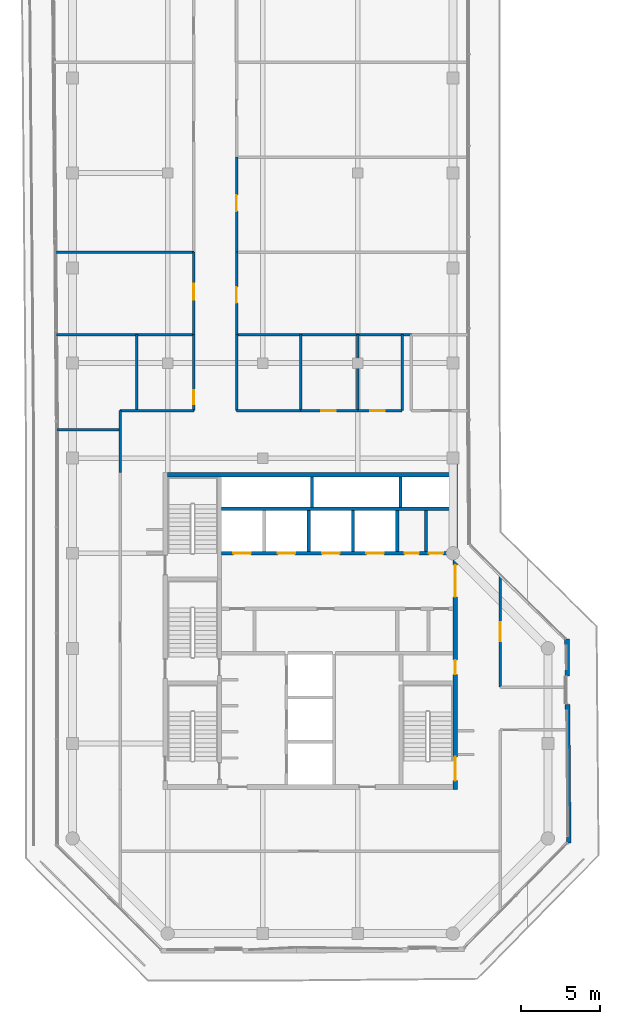
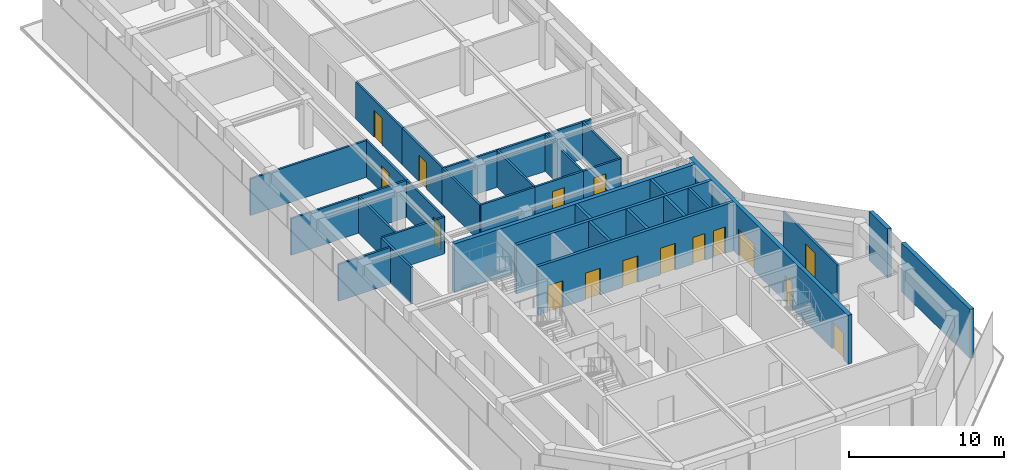
# One storey, part 15 of 18: 31 walls, 16 doors, 16 openings.
"""IFC4 building model written with IfcOpenShell, lengths in metres."""

from ifc_helpers import new_model, si_unit, direction, frame, frame_2d, origin, place, context, subcontext, project, spatial, rectangle, extrude, material, layer, layer_set, type_object, element, fill, save


model = new_model("IFC4")

# Units and contexts
model_context = context("Model", 3, precision=1e-05, world=origin(), true_north=direction((0.0, 1.0)))
body_context = subcontext(model_context, "Body", "Model", "MODEL_VIEW")
ifc_project = project(units=[si_unit("LENGTHUNIT", "METRE"), si_unit("AREAUNIT", "SQUARE_METRE"), si_unit("VOLUMEUNIT", "CUBIC_METRE"), si_unit("PLANEANGLEUNIT", "RADIAN"), si_unit("MASSUNIT", "GRAM", prefix="KILO")], contexts=[model_context])

# Site, building, storey
site_placement = place(None, origin())
site = spatial("IfcSite", under=ifc_project, at=site_placement, CompositionType="ELEMENT")
building_placement = place(site_placement, origin())
building = spatial("IfcBuilding", under=site, at=building_placement, Name="Welwitschia Terrace Campus", CompositionType="ELEMENT")
storey_placement = place(building_placement, frame((0.0, 0.0, 289.39990234375)))
storey = spatial("IfcBuildingStorey", under=building, at=storey_placement, Name="L64", CompositionType="ELEMENT", Elevation=289.39990234375)

# Wall
ifc_material_1 = material(Name="Concrete C32/40", Category="concrete")
ifc_layer_1 = layer(ifc_material_1, 0.175048828125)
ifc_layer_set_1 = layer_set([ifc_layer_1], Name="Concrete C32/40")
wall_type_1 = type_object("IfcWallType", Name="Core partition 175 Concrete C32/40", PredefinedType="PARTITIONING", material=ifc_layer_set_1)
wall_1_placement = place(storey_placement, frame((22.300048828125, 20.10009765625, 0.0), z_axis=(0.0, 0.0, 1.0), x_axis=(0.0, 1.0, 0.0)))
element("IfcWall", 1, at=wall_1_placement, inside=storey, type_object=wall_type_1, Name="Core partition", PredefinedType="PARTITIONING", context=body_context, shape_type="SweptSolid", body=[
    extrude(rectangle(XDim=2.599853515625, YDim=0.175048828125, at=frame_2d((1.2998046875, 0.0))), origin(), (0.0, 0.0, 1.0), 3.85009765625),
])

# Wall, openings, doors
ifc_material_2 = material(Name="Concrete C32/40", Category="concrete")
ifc_layer_2 = layer(ifc_material_2, 0.22509765625)
ifc_layer_set_2 = layer_set([ifc_layer_2], Name="Concrete C32/40")
wall_type_2 = type_object("IfcWallType", Name="Core partition 225 Concrete C32/40", PredefinedType="PARTITIONING", material=ifc_layer_set_2)
wall_2_placement = place(storey_placement, frame((24.0, 20.0, 0.0), z_axis=(0.0, 0.0, 1.0), x_axis=(-1.0, 0.0, 0.0)))
wall_2 = element("IfcWall", 2, at=wall_2_placement, inside=storey, type_object=wall_type_2, Name="Shaft wall", PredefinedType="PARTITIONING", context=body_context, shape_type="SweptSolid", body=[
    extrude(rectangle(XDim=14.60009765625, YDim=0.22509765625, at=frame_2d((7.300048828125, 0.0))), origin(), (0.0, 0.0, 1.0), 3.85009765625),
])
opening_1_placement = place(wall_2_placement, frame((12.75, 0.0, 0.0)))
opening_1 = element("IfcOpeningElement", 3, at=opening_1_placement, cuts=wall_2, Name="Opening LD", PredefinedType="OPENING", context=body_context, shape_type="SweptSolid", body=[
    extrude(rectangle(XDim=1.10009765625, YDim=2.10009765625, at=frame_2d((0.550048828125, 1.050048828125))), frame((0.0, 0.12255859375, 0.0), z_axis=(0.0, -1.0, 0.0), x_axis=(1.0, 0.0, 0.0)), (0.0, 0.0, 1.0), 0.2451171875),
])
opening_2_placement = place(wall_2_placement, frame((9.949951171875, 0.0, 0.0)))
opening_2 = element("IfcOpeningElement", 4, at=opening_2_placement, cuts=wall_2, Name="Opening LD", PredefinedType="OPENING", context=body_context, shape_type="SweptSolid", body=[
    extrude(rectangle(XDim=1.10009765625, YDim=2.10009765625, at=frame_2d((0.550048828125, 1.050048828125))), frame((0.0, 0.12255859375, 0.0), z_axis=(0.0, -1.0, 0.0), x_axis=(1.0, 0.0, 0.0)), (0.0, 0.0, 1.0), 0.2451171875),
])
opening_3_placement = place(wall_2_placement, frame((7.14990234375, 0.0, 0.0)))
opening_3 = element("IfcOpeningElement", 5, at=opening_3_placement, cuts=wall_2, Name="Opening LD", PredefinedType="OPENING", context=body_context, shape_type="SweptSolid", body=[
    extrude(rectangle(XDim=1.10009765625, YDim=2.10009765625, at=frame_2d((0.550048828125, 1.050048828125))), frame((0.0, 0.12255859375, 0.0), z_axis=(0.0, -1.0, 0.0), x_axis=(1.0, 0.0, 0.0)), (0.0, 0.0, 1.0), 0.2451171875),
])
opening_4_placement = place(wall_2_placement, frame((4.35009765625, 0.0, 0.0)))
opening_4 = element("IfcOpeningElement", 6, at=opening_4_placement, cuts=wall_2, Name="Opening LD", PredefinedType="OPENING", context=body_context, shape_type="SweptSolid", body=[
    extrude(rectangle(XDim=1.10009765625, YDim=2.10009765625, at=frame_2d((0.550048828125, 1.050048828125))), frame((0.0, 0.12255859375, 0.0), z_axis=(0.0, -1.0, 0.0), x_axis=(1.0, 0.0, 0.0)), (0.0, 0.0, 1.0), 0.2451171875),
])
opening_5_placement = place(wall_2_placement, frame((2.137451171875, 0.0, 0.0)))
opening_5 = element("IfcOpeningElement", 7, at=opening_5_placement, cuts=wall_2, Name="Opening DR09", PredefinedType="OPENING", context=body_context, shape_type="SweptSolid", body=[
    extrude(rectangle(XDim=0.89990234375, YDim=2.10009765625, at=frame_2d((0.449951171875, 1.050048828125))), frame((0.0, 0.12255859375, 0.0), z_axis=(0.0, -1.0, 0.0), x_axis=(1.0, 0.0, 0.0)), (0.0, 0.0, 1.0), 0.2451171875),
])
opening_6_placement = place(wall_2_placement, frame((0.612060546875, 0.0, 0.0)))
opening_6 = element("IfcOpeningElement", 8, at=opening_6_placement, cuts=wall_2, Name="Opening DR09", PredefinedType="OPENING", context=body_context, shape_type="SweptSolid", body=[
    extrude(rectangle(XDim=0.89990234375, YDim=2.10009765625, at=frame_2d((0.449951171875, 1.050048828125))), frame((0.0, 0.12255859375, 0.0), z_axis=(0.0, -1.0, 0.0), x_axis=(1.0, 0.0, 0.0)), (0.0, 0.0, 1.0), 0.2451171875),
])
ifc_material_3 = material(Name="Steel S275", Category="steel")
door_type_1 = type_object("IfcDoorType", Name="Core door DR09", OperationType="SINGLE_SWING_LEFT", PredefinedType="DOOR", material=ifc_material_3)
door_1_placement = place(opening_5_placement, origin())
door_1 = element("IfcDoor", 9, at=door_1_placement, inside=storey, type_object=door_type_1, Name="Door EH1-D", OperationType="SINGLE_SWING_LEFT", OverallHeight=2.10009765625, OverallWidth=0.89990234375, PredefinedType="DOOR", context=body_context, shape_type="SweptSolid", body=[
    extrude(rectangle(XDim=0.89990234375, YDim=2.10009765625, at=frame_2d((0.449951171875, 1.050048828125))), frame((0.0, 0.02490234375, 0.0), z_axis=(0.0, -1.0, 0.0), x_axis=(1.0, 0.0, 0.0)), (0.0, 0.0, 1.0), 0.050048828125),
])
fill(opening_5, door_1)
door_2_placement = place(opening_6_placement, origin())
door_2 = element("IfcDoor", 10, at=door_2_placement, inside=storey, type_object=door_type_1, Name="Door EH2-D", OperationType="SINGLE_SWING_LEFT", OverallHeight=2.10009765625, OverallWidth=0.89990234375, PredefinedType="DOOR", context=body_context, shape_type="SweptSolid", body=[
    extrude(rectangle(XDim=0.89990234375, YDim=2.10009765625, at=frame_2d((0.449951171875, 1.050048828125))), frame((0.0, 0.02490234375, 0.0), z_axis=(0.0, -1.0, 0.0), x_axis=(1.0, 0.0, 0.0)), (0.0, 0.0, 1.0), 0.050048828125),
])
fill(opening_6, door_2)
ifc_material_4 = material(Name="Stainless steel 304", Category="steel")
door_type_2 = type_object("IfcDoorType", Name="Lift landing door", OperationType="DOUBLE_DOOR_SLIDING", PredefinedType="DOOR", material=ifc_material_4)
door_3_placement = place(opening_1_placement, origin())
door_3 = element("IfcDoor", 11, at=door_3_placement, inside=storey, type_object=door_type_2, Name="Landing door HR1", OperationType="DOUBLE_DOOR_SLIDING", OverallHeight=2.10009765625, OverallWidth=1.10009765625, PredefinedType="DOOR", context=body_context, shape_type="SweptSolid", body=[
    extrude(rectangle(XDim=1.10009765625, YDim=2.10009765625, at=frame_2d((0.550048828125, 1.050048828125))), frame((0.0, 0.02490234375, 0.0), z_axis=(0.0, -1.0, 0.0), x_axis=(1.0, 0.0, 0.0)), (0.0, 0.0, 1.0), 0.050048828125),
])
fill(opening_1, door_3)
door_4_placement = place(opening_2_placement, origin())
door_4 = element("IfcDoor", 12, at=door_4_placement, inside=storey, type_object=door_type_2, Name="Landing door HR2", OperationType="DOUBLE_DOOR_SLIDING", OverallHeight=2.10009765625, OverallWidth=1.10009765625, PredefinedType="DOOR", context=body_context, shape_type="SweptSolid", body=[
    extrude(rectangle(XDim=1.10009765625, YDim=2.10009765625, at=frame_2d((0.550048828125, 1.050048828125))), frame((0.0, 0.02490234375, 0.0), z_axis=(0.0, -1.0, 0.0), x_axis=(1.0, 0.0, 0.0)), (0.0, 0.0, 1.0), 0.050048828125),
])
fill(opening_2, door_4)
door_5_placement = place(opening_3_placement, origin())
door_5 = element("IfcDoor", 13, at=door_5_placement, inside=storey, type_object=door_type_2, Name="Landing door HR3", OperationType="DOUBLE_DOOR_SLIDING", OverallHeight=2.10009765625, OverallWidth=1.10009765625, PredefinedType="DOOR", context=body_context, shape_type="SweptSolid", body=[
    extrude(rectangle(XDim=1.10009765625, YDim=2.10009765625, at=frame_2d((0.550048828125, 1.050048828125))), frame((0.0, 0.02490234375, 0.0), z_axis=(0.0, -1.0, 0.0), x_axis=(1.0, 0.0, 0.0)), (0.0, 0.0, 1.0), 0.050048828125),
])
fill(opening_3, door_5)
door_6_placement = place(opening_4_placement, origin())
door_6 = element("IfcDoor", 14, at=door_6_placement, inside=storey, type_object=door_type_2, Name="Landing door HR4", OperationType="DOUBLE_DOOR_SLIDING", OverallHeight=2.10009765625, OverallWidth=1.10009765625, PredefinedType="DOOR", context=body_context, shape_type="SweptSolid", body=[
    extrude(rectangle(XDim=1.10009765625, YDim=2.10009765625, at=frame_2d((0.550048828125, 1.050048828125))), frame((0.0, 0.02490234375, 0.0), z_axis=(0.0, -1.0, 0.0), x_axis=(1.0, 0.0, 0.0)), (0.0, 0.0, 1.0), 0.050048828125),
])
fill(opening_4, door_6)

# Walls
wall_3_placement = place(storey_placement, frame((9.39990234375, 22.800048828125, 0.0), z_axis=(0.0, 0.0, 1.0), x_axis=(1.0, 0.0, 0.0)))
element("IfcWall", 15, at=wall_3_placement, inside=storey, type_object=wall_type_2, Name="Shaft wall", PredefinedType="PARTITIONING", context=body_context, shape_type="SweptSolid", body=[
    extrude(rectangle(XDim=14.60009765625, YDim=0.22509765625, at=frame_2d((7.300048828125, 0.0))), origin(), (0.0, 0.0, 1.0), 3.85009765625),
])
wall_4_placement = place(storey_placement, frame((20.5, 20.10009765625, 0.0), z_axis=(0.0, 0.0, 1.0), x_axis=(0.0, 1.0, 0.0)))
element("IfcWall", 16, at=wall_4_placement, inside=storey, type_object=wall_type_2, Name="Shaft wall", PredefinedType="PARTITIONING", context=body_context, shape_type="SweptSolid", body=[
    extrude(rectangle(XDim=2.599853515625, YDim=0.22509765625, at=frame_2d((1.2998046875, 0.0))), origin(), (0.0, 0.0, 1.0), 3.85009765625),
])
ifc_material_5 = material(Name="Concrete C50/60", Category="concrete")
ifc_layer_3 = layer(ifc_material_5, 0.199951171875)
ifc_layer_set_3 = layer_set([ifc_layer_3], Name="Concrete C50/60")
wall_type_3 = type_object("IfcWallType", Name="Core wall 200 Concrete C50/60", PredefinedType="SHEAR", material=ifc_layer_set_3)
for number, where, z_axis, x_axis, name in (
    (17, (15.10009765625, 22.89990234375, 0.0), (0.0, 0.0, 1.0), (0.0, 1.0, 0.0), "Core wall"),
    (18, (20.699951171875, 22.89990234375, 0.0), (0.0, 0.0, 1.0), (0.0, 1.0, 0.0), "Core wall"),
):
    element("IfcWall", number, at=place(storey_placement, frame(where, z_axis=z_axis, x_axis=x_axis)), inside=storey, type_object=wall_type_3, Name=name, PredefinedType="SHEAR", context=body_context, shape_type="SweptSolid", body=[
        extrude(rectangle(XDim=1.900146484375, YDim=0.199951171875, at=frame_2d((0.9501953125, 0.0))), origin(), (0.0, 0.0, 1.0), 3.85009765625),
    ])

# Wall, openings, doors
ifc_material_6 = material(Name="Concrete C50/60", Category="concrete")
ifc_layer_4 = layer(ifc_material_6, 0.300048828125)
ifc_layer_set_4 = layer_set([ifc_layer_4], Name="Concrete C50/60")
wall_type_4 = type_object("IfcWallType", Name="Core wall 300 Concrete C50/60", PredefinedType="SHEAR", material=ifc_layer_set_4)
wall_5_placement = place(storey_placement, frame((24.14990234375, 25.655029296875, 0.0), z_axis=(0.0, 0.0, 1.0), x_axis=(0.0, -1.0, 0.0)))
wall_5 = element("IfcWall", 19, at=wall_5_placement, inside=storey, type_object=wall_type_4, Name="Core outer wall", PredefinedType="SHEAR", context=body_context, shape_type="SweptSolid", body=[
    extrude(rectangle(XDim=20.554931640625, YDim=0.300048828125, at=frame_2d((10.27734375, 0.0))), origin(), (0.0, 0.0, 1.0), 3.85009765625),
])
opening_7_placement = place(wall_5_placement, frame((18.5048828125, 0.0, 0.0)))
opening_7 = element("IfcOpeningElement", 20, at=opening_7_placement, cuts=wall_5, Name="Opening DS15", PredefinedType="OPENING", context=body_context, shape_type="SweptSolid", body=[
    extrude(rectangle(XDim=1.5, YDim=2.10009765625, at=frame_2d((0.75, 1.050048828125))), frame((0.0, 0.159912109375, 0.0), z_axis=(0.0, -1.0, 0.0), x_axis=(1.0, 0.0, 0.0)), (0.0, 0.0, 1.0), 0.320068359375),
])
opening_8_placement = place(wall_5_placement, frame((12.405029296875, 0.0, 0.0)))
opening_8 = element("IfcOpeningElement", 21, at=opening_8_placement, cuts=wall_5, Name="Opening DR09", PredefinedType="OPENING", context=body_context, shape_type="SweptSolid", body=[
    extrude(rectangle(XDim=0.89990234375, YDim=2.10009765625, at=frame_2d((0.449951171875, 1.050048828125))), frame((0.0, 0.159912109375, 0.0), z_axis=(0.0, -1.0, 0.0), x_axis=(1.0, 0.0, 0.0)), (0.0, 0.0, 1.0), 0.320068359375),
])
opening_9_placement = place(wall_5_placement, frame((6.405029296875, 0.0, 0.0)))
opening_9 = element("IfcOpeningElement", 22, at=opening_9_placement, cuts=wall_5, Name="Opening DL20", PredefinedType="OPENING", context=body_context, shape_type="SweptSolid", body=[
    extrude(rectangle(XDim=2.0, YDim=2.10009765625, at=frame_2d((1.0, 1.050048828125))), frame((0.0, 0.159912109375, 0.0), z_axis=(0.0, -1.0, 0.0), x_axis=(1.0, 0.0, 0.0)), (0.0, 0.0, 1.0), 0.320068359375),
])
ifc_material_7 = material(Name="Steel S275", Category="steel")
door_type_3 = type_object("IfcDoorType", Name="Core door DL20", OperationType="DOUBLE_DOOR_SINGLE_SWING", PredefinedType="DOOR", material=ifc_material_7)
door_7_placement = place(opening_9_placement, origin())
door_7 = element("IfcDoor", 23, at=door_7_placement, inside=storey, type_object=door_type_3, Name="Door LOBBY-out", OperationType="DOUBLE_DOOR_SINGLE_SWING", OverallHeight=2.10009765625, OverallWidth=2.0, PredefinedType="DOOR", context=body_context, shape_type="SweptSolid", body=[
    extrude(rectangle(XDim=2.0, YDim=2.10009765625, at=frame_2d((1.0, 1.050048828125))), frame((0.0, 0.02490234375, 0.0), z_axis=(0.0, -1.0, 0.0), x_axis=(1.0, 0.0, 0.0)), (0.0, 0.0, 1.0), 0.050048828125),
])
fill(opening_9, door_7)
door_8_placement = place(opening_8_placement, origin())
door_8 = element("IfcDoor", 24, at=door_8_placement, inside=storey, type_object=door_type_1, Name="Door F1B-out", OperationType="SINGLE_SWING_RIGHT", OverallHeight=2.10009765625, OverallWidth=0.89990234375, PredefinedType="DOOR", context=body_context, shape_type="SweptSolid", body=[
    extrude(rectangle(XDim=0.89990234375, YDim=2.10009765625, at=frame_2d((0.449951171875, 1.050048828125))), frame((0.0, 0.02490234375, 0.0), z_axis=(0.0, -1.0, 0.0), x_axis=(1.0, 0.0, 0.0)), (0.0, 0.0, 1.0), 0.050048828125),
])
fill(opening_8, door_8)
ifc_material_8 = material(Name="Steel S275", Category="steel")
door_type_4 = type_object("IfcDoorType", Name="Core door DS15", OperationType="DOUBLE_DOOR_SINGLE_SWING", PredefinedType="DOOR", material=ifc_material_8)
door_9_placement = place(opening_7_placement, origin())
door_9 = element("IfcDoor", 25, at=door_9_placement, inside=storey, type_object=door_type_4, Name="Door S2-out", OperationType="DOUBLE_DOOR_SINGLE_SWING", OverallHeight=2.10009765625, OverallWidth=1.5, PredefinedType="DOOR", context=body_context, shape_type="SweptSolid", body=[
    extrude(rectangle(XDim=1.5, YDim=2.10009765625, at=frame_2d((0.75, 1.050048828125))), frame((0.0, 0.02490234375, 0.0), z_axis=(0.0, -1.0, 0.0), x_axis=(1.0, 0.0, 0.0)), (0.0, 0.0, 1.0), 0.050048828125),
])
fill(opening_7, door_9)

# Walls
wall_6_placement = place(storey_placement, frame((6.0, 24.949951171875, 0.0), z_axis=(0.0, 0.0, 1.0), x_axis=(1.0, 0.0, 0.0)))
element("IfcWall", 26, at=wall_6_placement, inside=storey, type_object=wall_type_4, Name="Core outer wall", PredefinedType="SHEAR", context=body_context, shape_type="SweptSolid", body=[
    extrude(rectangle(XDim=18.0, YDim=0.300048828125, at=frame_2d((9.0, 0.0))), origin(), (0.0, 0.0, 1.0), 3.85009765625),
])
ifc_material_9 = material(Name="Gypsum board on steel studs", Category="steel")
ifc_layer_5 = layer(ifc_material_9, 0.14990234375)
ifc_layer_set_5 = layer_set([ifc_layer_5], Name="Gypsum board on steel studs")
wall_type_5 = type_object("IfcWallType", Name="Corridor partition 150 EI 30", PredefinedType="PARTITIONING", material=ifc_layer_set_5)
wall_7_placement = place(storey_placement, frame((-1.070068359375, 39.0, 0.0), z_axis=(0.0, 0.0, 1.0), x_axis=(1.0, 0.0, 0.0)))
element("IfcWall", 27, at=wall_7_placement, inside=storey, type_object=wall_type_5, Name="Partition", PredefinedType="PARTITIONING", context=body_context, shape_type="SweptSolid", body=[
    extrude(rectangle(XDim=8.719970703125, YDim=0.14990234375, at=frame_2d((4.35986328125, 0.0))), origin(), (0.0, 0.0, 1.0), 2.900146484375),
])
wall_8_placement = place(storey_placement, frame((-1.030029296875, 33.800048828125, 0.0), z_axis=(0.0, 0.0, 1.0), x_axis=(1.0, 0.0, 0.0)))
element("IfcWall", 28, at=wall_8_placement, inside=storey, type_object=wall_type_5, Name="Partition", PredefinedType="PARTITIONING", context=body_context, shape_type="SweptSolid", body=[
    extrude(rectangle(XDim=8.679931640625, YDim=0.14990234375, at=frame_2d((4.33984375, 0.0))), origin(), (0.0, 0.0, 1.0), 2.900146484375),
])
wall_9_placement = place(storey_placement, frame((-0.97998046875, 27.800048828125, 0.0), z_axis=(0.0, 0.0, 1.0), x_axis=(1.0, 0.0, 0.0)))
element("IfcWall", 29, at=wall_9_placement, inside=storey, type_object=wall_type_5, Name="Partition", PredefinedType="PARTITIONING", context=body_context, shape_type="SweptSolid", body=[
    extrude(rectangle(XDim=3.97998046875, YDim=0.14990234375, at=frame_2d((1.989990234375, 0.0))), origin(), (0.0, 0.0, 1.0), 2.900146484375),
])
wall_10_placement = place(storey_placement, frame((3.0, 25.10009765625, 0.0), z_axis=(0.0, 0.0, 1.0), x_axis=(0.0, 1.0, 0.0)))
element("IfcWall", 30, at=wall_10_placement, inside=storey, type_object=wall_type_5, Name="Partition", PredefinedType="PARTITIONING", context=body_context, shape_type="SweptSolid", body=[
    extrude(rectangle(XDim=3.89990234375, YDim=0.14990234375, at=frame_2d((1.949951171875, 0.0))), origin(), (0.0, 0.0, 1.0), 2.900146484375),
])
wall_11_placement = place(storey_placement, frame((3.0, 29.0, 0.0), z_axis=(0.0, 0.0, 1.0), x_axis=(1.0, 0.0, 0.0)))
element("IfcWall", 31, at=wall_11_placement, inside=storey, type_object=wall_type_5, Name="Partition", PredefinedType="PARTITIONING", context=body_context, shape_type="SweptSolid", body=[
    extrude(rectangle(XDim=4.64990234375, YDim=0.14990234375, at=frame_2d((2.324951171875, 0.0))), origin(), (0.0, 0.0, 1.0), 2.900146484375),
])
wall_12_placement = place(storey_placement, frame((4.050048828125, 29.0, 0.0), z_axis=(0.0, 0.0, 1.0), x_axis=(0.0, 1.0, 0.0)))
element("IfcWall", 32, at=wall_12_placement, inside=storey, type_object=wall_type_5, Name="Partition", PredefinedType="PARTITIONING", context=body_context, shape_type="SweptSolid", body=[
    extrude(rectangle(XDim=4.800048828125, YDim=0.14990234375, at=frame_2d((2.39990234375, 0.0))), origin(), (0.0, 0.0, 1.0), 2.900146484375),
])

# Wall, opening, door
wall_13_placement = place(storey_placement, frame((7.64990234375, 29.0, 0.0), z_axis=(0.0, 0.0, 1.0), x_axis=(0.0, 1.0, 0.0)))
wall_13 = element("IfcWall", 33, at=wall_13_placement, inside=storey, type_object=wall_type_5, Name="Partition", PredefinedType="PARTITIONING", context=body_context, shape_type="SweptSolid", body=[
    extrude(rectangle(XDim=4.800048828125, YDim=0.14990234375, at=frame_2d((2.39990234375, 0.0))), origin(), (0.0, 0.0, 1.0), 2.900146484375),
])
opening_10_placement = place(wall_13_placement, frame((0.39990234375, 0.0, 0.0)))
opening_10 = element("IfcOpeningElement", 34, at=opening_10_placement, cuts=wall_13, Name="Opening DI09", PredefinedType="OPENING", context=body_context, shape_type="SweptSolid", body=[
    extrude(rectangle(XDim=0.89990234375, YDim=2.10009765625, at=frame_2d((0.449951171875, 1.050048828125))), frame((0.0, 0.0849609375, 0.0), z_axis=(0.0, -1.0, 0.0), x_axis=(1.0, 0.0, 0.0)), (0.0, 0.0, 1.0), 0.169921875),
])
ifc_material_10 = material(Name="Timber veneered door", Category="wood")
door_type_5 = type_object("IfcDoorType", Name="Interior door DI09", OperationType="NOTDEFINED", PredefinedType="DOOR", material=ifc_material_10)
door_10_placement = place(opening_10_placement, origin())
door_10 = element("IfcDoor", 35, at=door_10_placement, inside=storey, type_object=door_type_5, Name="Door L64 1137", OperationType="SINGLE_SWING_RIGHT", OverallHeight=2.10009765625, OverallWidth=0.89990234375, PredefinedType="DOOR", context=body_context, shape_type="SweptSolid", body=[
    extrude(rectangle(XDim=0.89990234375, YDim=2.10009765625, at=frame_2d((0.449951171875, 1.050048828125))), frame((0.0, 0.02490234375, 0.0), z_axis=(0.0, -1.0, 0.0), x_axis=(1.0, 0.0, 0.0)), (0.0, 0.0, 1.0), 0.050048828125),
])
fill(opening_10, door_10)

wall_14_placement = place(storey_placement, frame((7.64990234375, 33.800048828125, 0.0), z_axis=(0.0, 0.0, 1.0), x_axis=(0.0, 1.0, 0.0)))
wall_14 = element("IfcWall", 36, at=wall_14_placement, inside=storey, type_object=wall_type_5, Name="Partition", PredefinedType="PARTITIONING", context=body_context, shape_type="SweptSolid", body=[
    extrude(rectangle(XDim=5.199951171875, YDim=0.14990234375, at=frame_2d((2.60009765625, 0.0))), origin(), (0.0, 0.0, 1.0), 2.900146484375),
])
opening_11_placement = place(wall_14_placement, frame((2.199951171875, 0.0, 0.0)))
opening_11 = element("IfcOpeningElement", 37, at=opening_11_placement, cuts=wall_14, Name="Opening DI10", PredefinedType="OPENING", context=body_context, shape_type="SweptSolid", body=[
    extrude(rectangle(XDim=1.0, YDim=2.10009765625, at=frame_2d((0.5, 1.050048828125))), frame((0.0, 0.0849609375, 0.0), z_axis=(0.0, -1.0, 0.0), x_axis=(1.0, 0.0, 0.0)), (0.0, 0.0, 1.0), 0.169921875),
])
ifc_material_11 = material(Name="Timber veneered door", Category="wood")
door_type_6 = type_object("IfcDoorType", Name="Interior door DI10", OperationType="NOTDEFINED", PredefinedType="DOOR", material=ifc_material_11)
door_11_placement = place(opening_11_placement, origin())
door_11 = element("IfcDoor", 38, at=door_11_placement, inside=storey, type_object=door_type_6, Name="Door L64 1138", OperationType="SINGLE_SWING_LEFT", OverallHeight=2.10009765625, OverallWidth=1.0, PredefinedType="DOOR", context=body_context, shape_type="SweptSolid", body=[
    extrude(rectangle(XDim=1.0, YDim=2.10009765625, at=frame_2d((0.5, 1.050048828125))), frame((0.0, 0.02490234375, 0.0), z_axis=(0.0, -1.0, 0.0), x_axis=(1.0, 0.0, 0.0)), (0.0, 0.0, 1.0), 0.050048828125),
])
fill(opening_11, door_11)

# Walls
wall_15_placement = place(storey_placement, frame((10.35009765625, 29.0, 0.0), z_axis=(0.0, 0.0, 1.0), x_axis=(0.0, 1.0, 0.0)))
element("IfcWall", 39, at=wall_15_placement, inside=storey, type_object=wall_type_5, Name="Partition", PredefinedType="PARTITIONING", context=body_context, shape_type="SweptSolid", body=[
    extrude(rectangle(XDim=4.800048828125, YDim=0.14990234375, at=frame_2d((2.39990234375, 0.0))), origin(), (0.0, 0.0, 1.0), 2.900146484375),
])
wall_16_placement = place(storey_placement, frame((10.35009765625, 29.0, 0.0), z_axis=(0.0, 0.0, 1.0), x_axis=(1.0, 0.0, 0.0)))
element("IfcWall", 40, at=wall_16_placement, inside=storey, type_object=wall_type_5, Name="Partition", PredefinedType="PARTITIONING", context=body_context, shape_type="SweptSolid", body=[
    extrude(rectangle(XDim=4.0498046875, YDim=0.14990234375, at=frame_2d((2.02490234375, 0.0))), origin(), (0.0, 0.0, 1.0), 2.900146484375),
])
wall_17_placement = place(storey_placement, frame((10.35009765625, 33.800048828125, 0.0), z_axis=(0.0, 0.0, 1.0), x_axis=(1.0, 0.0, 0.0)))
element("IfcWall", 41, at=wall_17_placement, inside=storey, type_object=wall_type_5, Name="Partition", PredefinedType="PARTITIONING", context=body_context, shape_type="SweptSolid", body=[
    extrude(rectangle(XDim=11.02978515625, YDim=0.14990234375, at=frame_2d((5.514892578125, 0.0))), origin(), (0.0, 0.0, 1.0), 2.900146484375),
])

# Wall, opening, door
wall_18_placement = place(storey_placement, frame((10.35009765625, 39.0, 0.0), z_axis=(0.0, 0.0, 1.0), x_axis=(0.0, -1.0, 0.0)))
wall_18 = element("IfcWall", 42, at=wall_18_placement, inside=storey, type_object=wall_type_5, Name="Partition", PredefinedType="PARTITIONING", context=body_context, shape_type="SweptSolid", body=[
    extrude(rectangle(XDim=5.199951171875, YDim=0.14990234375, at=frame_2d((2.60009765625, 0.0))), origin(), (0.0, 0.0, 1.0), 2.900146484375),
])
opening_12_placement = place(wall_18_placement, frame((2.199951171875, 0.0, 0.0)))
opening_12 = element("IfcOpeningElement", 43, at=opening_12_placement, cuts=wall_18, Name="Opening DI10", PredefinedType="OPENING", context=body_context, shape_type="SweptSolid", body=[
    extrude(rectangle(XDim=1.0, YDim=2.10009765625, at=frame_2d((0.5, 1.050048828125))), frame((0.0, 0.0849609375, 0.0), z_axis=(0.0, -1.0, 0.0), x_axis=(1.0, 0.0, 0.0)), (0.0, 0.0, 1.0), 0.169921875),
])
door_12_placement = place(opening_12_placement, origin())
door_12 = element("IfcDoor", 44, at=door_12_placement, inside=storey, type_object=door_type_6, Name="Door L64 1142", OperationType="SINGLE_SWING_LEFT", OverallHeight=2.10009765625, OverallWidth=1.0, PredefinedType="DOOR", context=body_context, shape_type="SweptSolid", body=[
    extrude(rectangle(XDim=1.0, YDim=2.10009765625, at=frame_2d((0.5, 1.050048828125))), frame((0.0, 0.02490234375, 0.0), z_axis=(0.0, -1.0, 0.0), x_axis=(1.0, 0.0, 0.0)), (0.0, 0.0, 1.0), 0.050048828125),
])
fill(opening_12, door_12)

wall_19_placement = place(storey_placement, frame((10.35009765625, 45.0, 0.0), z_axis=(0.0, 0.0, 1.0), x_axis=(0.0, -1.0, 0.0)))
wall_19 = element("IfcWall", 45, at=wall_19_placement, inside=storey, type_object=wall_type_5, Name="Partition", PredefinedType="PARTITIONING", context=body_context, shape_type="SweptSolid", body=[
    extrude(rectangle(XDim=6.0, YDim=0.14990234375, at=frame_2d((3.0, 0.0))), origin(), (0.0, 0.0, 1.0), 2.900146484375),
])
opening_13_placement = place(wall_19_placement, frame((2.39990234375, 0.0, 0.0)))
opening_13 = element("IfcOpeningElement", 46, at=opening_13_placement, cuts=wall_19, Name="Opening DI10", PredefinedType="OPENING", context=body_context, shape_type="SweptSolid", body=[
    extrude(rectangle(XDim=1.0, YDim=2.10009765625, at=frame_2d((0.5, 1.050048828125))), frame((0.0, 0.0849609375, 0.0), z_axis=(0.0, -1.0, 0.0), x_axis=(1.0, 0.0, 0.0)), (0.0, 0.0, 1.0), 0.169921875),
])
door_13_placement = place(opening_13_placement, origin())
door_13 = element("IfcDoor", 47, at=door_13_placement, inside=storey, type_object=door_type_6, Name="Door L64 1143", OperationType="SINGLE_SWING_RIGHT", OverallHeight=2.10009765625, OverallWidth=1.0, PredefinedType="DOOR", context=body_context, shape_type="SweptSolid", body=[
    extrude(rectangle(XDim=1.0, YDim=2.10009765625, at=frame_2d((0.5, 1.050048828125))), frame((0.0, 0.02490234375, 0.0), z_axis=(0.0, -1.0, 0.0), x_axis=(1.0, 0.0, 0.0)), (0.0, 0.0, 1.0), 0.050048828125),
])
fill(opening_13, door_13)

# Wall
wall_20_placement = place(storey_placement, frame((14.39990234375, 29.0, 0.0), z_axis=(0.0, 0.0, 1.0), x_axis=(0.0, 1.0, 0.0)))
element("IfcWall", 48, at=wall_20_placement, inside=storey, type_object=wall_type_5, Name="Partition", PredefinedType="PARTITIONING", context=body_context, shape_type="SweptSolid", body=[
    extrude(rectangle(XDim=4.800048828125, YDim=0.14990234375, at=frame_2d((2.39990234375, 0.0))), origin(), (0.0, 0.0, 1.0), 2.900146484375),
])

# Wall, opening, door
wall_21_placement = place(storey_placement, frame((14.39990234375, 29.0, 0.0), z_axis=(0.0, 0.0, 1.0), x_axis=(1.0, 0.0, 0.0)))
wall_21 = element("IfcWall", 49, at=wall_21_placement, inside=storey, type_object=wall_type_5, Name="Partition", PredefinedType="PARTITIONING", context=body_context, shape_type="SweptSolid", body=[
    extrude(rectangle(XDim=3.60009765625, YDim=0.14990234375, at=frame_2d((1.800048828125, 0.0))), origin(), (0.0, 0.0, 1.0), 2.900146484375),
])
opening_14_placement = place(wall_21_placement, frame((1.300048828125, 0.0, 0.0)))
opening_14 = element("IfcOpeningElement", 50, at=opening_14_placement, cuts=wall_21, Name="Opening DI09", PredefinedType="OPENING", context=body_context, shape_type="SweptSolid", body=[
    extrude(rectangle(XDim=0.89990234375, YDim=2.10009765625, at=frame_2d((0.449951171875, 1.050048828125))), frame((0.0, 0.0849609375, 0.0), z_axis=(0.0, -1.0, 0.0), x_axis=(1.0, 0.0, 0.0)), (0.0, 0.0, 1.0), 0.169921875),
])
door_14_placement = place(opening_14_placement, origin())
door_14 = element("IfcDoor", 51, at=door_14_placement, inside=storey, type_object=door_type_5, Name="Door L64 1146", OperationType="SINGLE_SWING_LEFT", OverallHeight=2.10009765625, OverallWidth=0.89990234375, PredefinedType="DOOR", context=body_context, shape_type="SweptSolid", body=[
    extrude(rectangle(XDim=0.89990234375, YDim=2.10009765625, at=frame_2d((0.449951171875, 1.050048828125))), frame((0.0, 0.02490234375, 0.0), z_axis=(0.0, -1.0, 0.0), x_axis=(1.0, 0.0, 0.0)), (0.0, 0.0, 1.0), 0.050048828125),
])
fill(opening_14, door_14)

# Wall
wall_22_placement = place(storey_placement, frame((18.0, 29.0, 0.0), z_axis=(0.0, 0.0, 1.0), x_axis=(0.0, 1.0, 0.0)))
element("IfcWall", 52, at=wall_22_placement, inside=storey, type_object=wall_type_5, Name="Partition", PredefinedType="PARTITIONING", context=body_context, shape_type="SweptSolid", body=[
    extrude(rectangle(XDim=4.800048828125, YDim=0.14990234375, at=frame_2d((2.39990234375, 0.0))), origin(), (0.0, 0.0, 1.0), 2.900146484375),
])

# Wall, opening, door
wall_23_placement = place(storey_placement, frame((18.0, 29.0, 0.0), z_axis=(0.0, 0.0, 1.0), x_axis=(1.0, 0.0, 0.0)))
wall_23 = element("IfcWall", 53, at=wall_23_placement, inside=storey, type_object=wall_type_5, Name="Partition", PredefinedType="PARTITIONING", context=body_context, shape_type="SweptSolid", body=[
    extrude(rectangle(XDim=2.800048828125, YDim=0.14990234375, at=frame_2d((1.39990234375, 0.0))), origin(), (0.0, 0.0, 1.0), 2.900146484375),
])
opening_15_placement = place(wall_23_placement, frame((0.800048828125, 0.0, 0.0)))
opening_15 = element("IfcOpeningElement", 54, at=opening_15_placement, cuts=wall_23, Name="Opening DI09", PredefinedType="OPENING", context=body_context, shape_type="SweptSolid", body=[
    extrude(rectangle(XDim=0.89990234375, YDim=2.10009765625, at=frame_2d((0.449951171875, 1.050048828125))), frame((0.0, 0.0849609375, 0.0), z_axis=(0.0, -1.0, 0.0), x_axis=(1.0, 0.0, 0.0)), (0.0, 0.0, 1.0), 0.169921875),
])
door_15_placement = place(opening_15_placement, origin())
door_15 = element("IfcDoor", 55, at=door_15_placement, inside=storey, type_object=door_type_5, Name="Door L64 1147", OperationType="SINGLE_SWING_RIGHT", OverallHeight=2.10009765625, OverallWidth=0.89990234375, PredefinedType="DOOR", context=body_context, shape_type="SweptSolid", body=[
    extrude(rectangle(XDim=0.89990234375, YDim=2.10009765625, at=frame_2d((0.449951171875, 1.050048828125))), frame((0.0, 0.02490234375, 0.0), z_axis=(0.0, -1.0, 0.0), x_axis=(1.0, 0.0, 0.0)), (0.0, 0.0, 1.0), 0.050048828125),
])
fill(opening_15, door_15)

# Wall
wall_24_placement = place(storey_placement, frame((20.800048828125, 29.0, 0.0), z_axis=(0.0, 0.0, 1.0), x_axis=(0.0, 1.0, 0.0)))
element("IfcWall", 56, at=wall_24_placement, inside=storey, type_object=wall_type_5, Name="Partition", PredefinedType="PARTITIONING", context=body_context, shape_type="SweptSolid", body=[
    extrude(rectangle(XDim=4.800048828125, YDim=0.14990234375, at=frame_2d((2.39990234375, 0.0))), origin(), (0.0, 0.0, 1.0), 2.900146484375),
])

# Wall, opening, door
wall_25_placement = place(storey_placement, frame((27.0, 18.580078125, 0.0), z_axis=(0.0, 0.0, 1.0), x_axis=(0.0, -1.0, 0.0)))
wall_25 = element("IfcWall", 57, at=wall_25_placement, inside=storey, type_object=wall_type_5, Name="Partition", PredefinedType="PARTITIONING", context=body_context, shape_type="SweptSolid", body=[
    extrude(rectangle(XDim=7.030029296875, YDim=0.14990234375, at=frame_2d((3.51513671875, 0.0))), origin(), (0.0, 0.0, 1.0), 2.900146484375),
])
opening_16_placement = place(wall_25_placement, frame((2.929931640625, 0.0, 0.0)))
opening_16 = element("IfcOpeningElement", 58, at=opening_16_placement, cuts=wall_25, Name="Opening DI12", PredefinedType="OPENING", context=body_context, shape_type="SweptSolid", body=[
    extrude(rectangle(XDim=1.199951171875, YDim=2.10009765625, at=frame_2d((0.60009765625, 1.050048828125))), frame((0.0, 0.0849609375, 0.0), z_axis=(0.0, -1.0, 0.0), x_axis=(1.0, 0.0, 0.0)), (0.0, 0.0, 1.0), 0.169921875),
])
ifc_material_12 = material(Name="Timber veneered door", Category="wood")
door_type_7 = type_object("IfcDoorType", Name="Interior door DI12", OperationType="NOTDEFINED", PredefinedType="DOOR", material=ifc_material_12)
door_16_placement = place(opening_16_placement, origin())
door_16 = element("IfcDoor", 59, at=door_16_placement, inside=storey, type_object=door_type_7, Name="Door L64 1150", OperationType="SINGLE_SWING_LEFT", OverallHeight=2.10009765625, OverallWidth=1.199951171875, PredefinedType="DOOR", context=body_context, shape_type="SweptSolid", body=[
    extrude(rectangle(XDim=1.199951171875, YDim=2.10009765625, at=frame_2d((0.60009765625, 1.050048828125))), frame((0.0, 0.02490234375, 0.0), z_axis=(0.0, -1.0, 0.0), x_axis=(1.0, 0.0, 0.0)), (0.0, 0.0, 1.0), 0.050048828125),
])
fill(opening_16, door_16)

# Walls
ifc_material_13 = material(Name="Concrete C40/50", Category="concrete")
ifc_layer_6 = layer(ifc_material_13, 0.300048828125)
ifc_layer_set_6 = layer_set([ifc_layer_6], Name="Concrete C40/50")
wall_type_6 = type_object("IfcWallType", Name="Mass wall 300", PredefinedType="SOLIDWALL", material=ifc_layer_set_6)
wall_26_placement = place(storey_placement, frame((31.31298828125, 1.7236328125, 0.0), z_axis=(0.0, 0.0, 1.0), x_axis=(-0.008715239699, 0.999962021577, 0.0)))
element("IfcWall", 60, at=wall_26_placement, inside=storey, type_object=wall_type_6, Name="Mass wall L64.6.0", PredefinedType="SOLIDWALL", context=body_context, shape_type="SweptSolid", body=[
    extrude(rectangle(XDim=8.739990234375, YDim=0.300048828125, at=frame_2d((4.3701171875, 0.0))), origin(), (0.0, 0.0, 1.0), 3.85009765625),
])
wall_27_placement = place(storey_placement, frame((31.220947265625, 12.26318359375, 0.0), z_axis=(0.0, 0.0, 1.0), x_axis=(-0.008654029484, 0.999962553186, 0.0)))
element("IfcWall", 61, at=wall_27_placement, inside=storey, type_object=wall_type_6, Name="Mass wall L64.6.1", PredefinedType="SOLIDWALL", context=body_context, shape_type="SweptSolid", body=[
    extrude(rectangle(XDim=2.313232421875, YDim=0.300048828125, at=frame_2d((1.15673828125, 0.0))), origin(), (0.0, 0.0, 1.0), 3.85009765625),
])
ifc_material_14 = material(Name="Concrete C32/40", Category="concrete")
ifc_layer_7 = layer(ifc_material_14, 0.199951171875)
ifc_layer_set_7 = layer_set([ifc_layer_7], Name="Concrete C32/40")
wall_type_7 = type_object("IfcWallType", Name="Shaft wall 200 Concrete C32/40", PredefinedType="SOLIDWALL", material=ifc_layer_set_7)
for number, where, z_axis, x_axis, name in (
    (62, (14.89990234375, 20.10009765625, 0.0), (0.0, 0.0, 1.0), (0.0, 1.0, 0.0), "Shaft wall"),
    (63, (17.699951171875, 20.10009765625, 0.0), (0.0, 0.0, 1.0), (0.0, 1.0, 0.0), "Shaft wall"),
):
    element("IfcWall", number, at=place(storey_placement, frame(where, z_axis=z_axis, x_axis=x_axis)), inside=storey, type_object=wall_type_7, Name=name, PredefinedType="SOLIDWALL", context=body_context, shape_type="SweptSolid", body=[
        extrude(rectangle(XDim=2.599853515625, YDim=0.199951171875, at=frame_2d((1.2998046875, 0.0))), origin(), (0.0, 0.0, 1.0), 3.85009765625),
    ])

save(model, "model.ifc")
